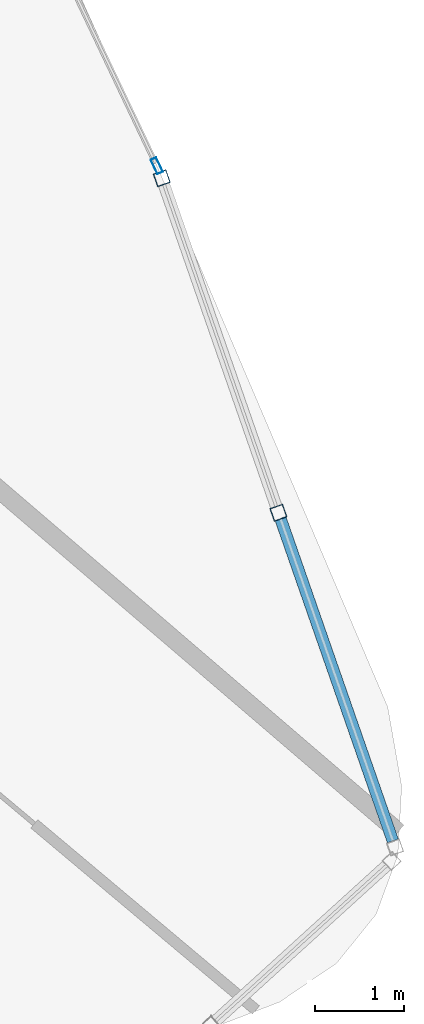
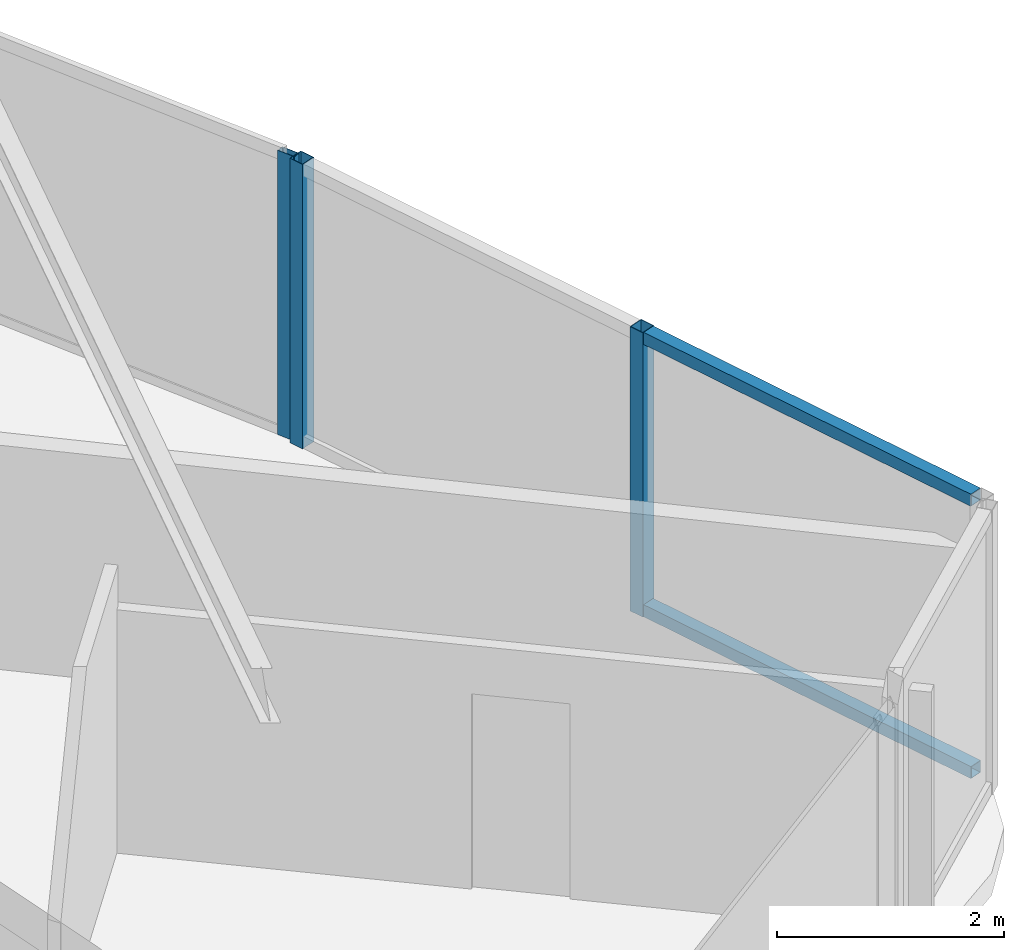
# One storey, part 16 of 35: 5 members, 2 elements without a shape of their own.
"""IFC4 building model written with IfcOpenShell, lengths in metres."""

from ifc_helpers import new_model, si_unit, direction, frame, origin, origin_2d, place, context, subcontext, project, spatial, hollow_rectangle, extrude, material, layer, layer_set, material_profile, profile_set, type_object, element, aggregate, save


model = new_model("IFC4")

# Units and contexts
model_context = context("Model", 3, precision=1e-05, world=origin(), true_north=direction((0.0, 1.0)))
body_context = subcontext(model_context, "Body", "Model", "MODEL_VIEW")
ifc_project = project(units=[si_unit("LENGTHUNIT", "METRE"), si_unit("AREAUNIT", "SQUARE_METRE"), si_unit("VOLUMEUNIT", "CUBIC_METRE"), si_unit("PLANEANGLEUNIT", "RADIAN"), si_unit("MASSUNIT", "GRAM", prefix="KILO")], contexts=[model_context])

# Site, building, storey
site_placement = place(None, origin())
site = spatial("IfcSite", under=ifc_project, at=site_placement, CompositionType="ELEMENT")
building_placement = place(site_placement, origin())
building = spatial("IfcBuilding", under=site, at=building_placement, Name="Orvanel Arch Residences", CompositionType="ELEMENT")
storey_placement = place(building_placement, frame((0.0, 0.0, 33.5)))
storey = spatial("IfcBuildingStorey", under=building, at=storey_placement, Name="L08", CompositionType="ELEMENT", Elevation=33.5)

# Curtain wall, members
ifc_material = material(Name="Bronze-anodised aluminium AA6063-T6", Category="aluminium")
ifc_layer_1 = layer(ifc_material, 0.18994140625)
ifc_layer_set_1 = layer_set([ifc_layer_1], Name="Bronze-anodised aluminium AA6063-T6")
curtain_wall_type_1 = type_object("IfcCurtainWallType", Name="CW5-CRN-SYS", PredefinedType="NOTDEFINED", material=ifc_layer_set_1)
curtain_wall_1_placement = place(storey_placement, origin())
curtain_wall_1 = element("IfcCurtainWall", 1, at=curtain_wall_1_placement, inside=storey, type_object=curtain_wall_type_1, Name="L08 CW5-CRN-SYS Unitised Curtain Wall", PredefinedType="NOTDEFINED")
ifc_material_profile_1 = material_profile(ifc_material, hollow_rectangle(XDim=0.14990234375, YDim=0.14990234375, WallThickness=0.0048828125, at=origin_2d()), Name="ALU150x150x5")
ifc_profile_set_1 = profile_set([ifc_material_profile_1], Name="Bronze-anodised aluminium AA6063-T6")
member_type_1 = type_object("IfcMemberType", Name="MUL-150x150", PredefinedType="MULLION", material=ifc_profile_set_1)
member_1_placement = place(storey_placement, frame((60.53857421875, 9.302978515625, 0.0), z_axis=(0.0, 0.0, 1.0), x_axis=(-0.94424408755, -0.329246265169, 0.0)))
member_1 = element("IfcMember", 2, at=member_1_placement, type_object=member_type_1, Name="CW-S5 mullion 2", PredefinedType="MULLION", context=body_context, shape_type="SweptSolid", body=[
    extrude(hollow_rectangle(XDim=0.14990234375, YDim=0.14990234375, WallThickness=0.0048828125, at=origin_2d()), origin(), (0.0, 0.0, 1.0), 3.06005859375),
])
member_2_placement = place(storey_placement, frame((59.234619140625, 13.042236328125, 0.0), z_axis=(0.0, 0.0, 1.0), x_axis=(-0.94424408755, -0.329246265169, 0.0)))
member_2 = element("IfcMember", 3, at=member_2_placement, type_object=member_type_1, Name="CW-S5 mullion 3", PredefinedType="MULLION", context=body_context, shape_type="SweptSolid", body=[
    extrude(hollow_rectangle(XDim=0.14990234375, YDim=0.14990234375, WallThickness=0.0048828125, at=origin_2d()), origin(), (0.0, 0.0, 1.0), 3.06005859375),
])

# Curtain wall, member
ifc_layer_2 = layer(ifc_material, 0.179931640625)
ifc_layer_set_2 = layer_set([ifc_layer_2], Name="Bronze-anodised aluminium AA6063-T6")
curtain_wall_type_2 = type_object("IfcCurtainWallType", Name="CW2-LOW-SYS", PredefinedType="NOTDEFINED", material=ifc_layer_set_2)
curtain_wall_2_placement = place(storey_placement, origin())
curtain_wall_2 = element("IfcCurtainWall", 4, at=curtain_wall_2_placement, inside=storey, type_object=curtain_wall_type_2, Name="L08 CW2-LOW-SYS Unitised Curtain Wall", PredefinedType="NOTDEFINED")
ifc_material_profile_2 = material_profile(ifc_material, hollow_rectangle(XDim=0.070068359375, YDim=0.179931640625, WallThickness=0.00439453125, at=origin_2d()), Name="ALU180x70x4.5")
ifc_profile_set_2 = profile_set([ifc_material_profile_2], Name="Bronze-anodised aluminium AA6063-T6")
member_type_2 = type_object("IfcMemberType", Name="MUL-180x70", PredefinedType="MULLION", material=ifc_profile_set_2)
member_3_placement = place(storey_placement, frame((59.178955078125, 13.181640625, 0.0), z_axis=(0.0, 0.0, 1.0), x_axis=(-0.903506444237, -0.4285745037, 0.0)))
member_3 = element("IfcMember", 5, at=member_3_placement, type_object=member_type_2, Name="CW-S2 mullion 1", PredefinedType="MULLION", context=body_context, shape_type="SweptSolid", body=[
    extrude(hollow_rectangle(XDim=0.070068359375, YDim=0.179931640625, WallThickness=0.00439453125, at=origin_2d()), origin(), (0.0, 0.0, 1.0), 3.06005859375),
])
aggregate(curtain_wall_2, [member_3])

# Member
ifc_material_profile_3 = material_profile(ifc_material, hollow_rectangle(XDim=0.1298828125, YDim=0.1298828125, WallThickness=0.00439453125, at=origin_2d()), Name="ALU130x130x4.5")
ifc_profile_set_3 = profile_set([ifc_material_profile_3], Name="Bronze-anodised aluminium AA6063-T6")
member_type_3 = type_object("IfcMemberType", Name="TRN-130x130", PredefinedType="USERDEFINED", material=ifc_profile_set_3)
member_4_placement = place(storey_placement, frame((61.817626953125, 5.634521484375, 0.06494140625), z_axis=(-0.329231329968, 0.944249295137, 0.0), x_axis=(-0.944249295137, -0.329231329968, 0.0)))
member_4 = element("IfcMember", 6, at=member_4_placement, type_object=member_type_3, Name="CW-S5 transom 1.1", ObjectType="TRANSOM", PredefinedType="USERDEFINED", context=body_context, shape_type="SweptSolid", body=[
    extrude(hollow_rectangle(XDim=0.1298828125, YDim=0.1298828125, WallThickness=0.00439453125, at=origin_2d()), origin(), (0.0, 0.0, 1.0), 3.81005859375),
])

member_5_placement = place(storey_placement, frame((61.817626953125, 5.634521484375, 2.9951171875), z_axis=(-0.329231329968, 0.944249295137, 0.0), x_axis=(-0.944249295137, -0.329231329968, 0.0)))
member_5 = element("IfcMember", 7, at=member_5_placement, type_object=member_type_3, Name="CW-S5 transom 1.2", ObjectType="TRANSOM", PredefinedType="USERDEFINED", context=body_context, shape_type="SweptSolid", body=[
    extrude(hollow_rectangle(XDim=0.1298828125, YDim=0.1298828125, WallThickness=0.00439453125, at=origin_2d()), origin(), (0.0, 0.0, 1.0), 3.81005859375),
])

aggregate(curtain_wall_1, [member_1, member_2, member_4, member_5])

save(model, "model.ifc")
